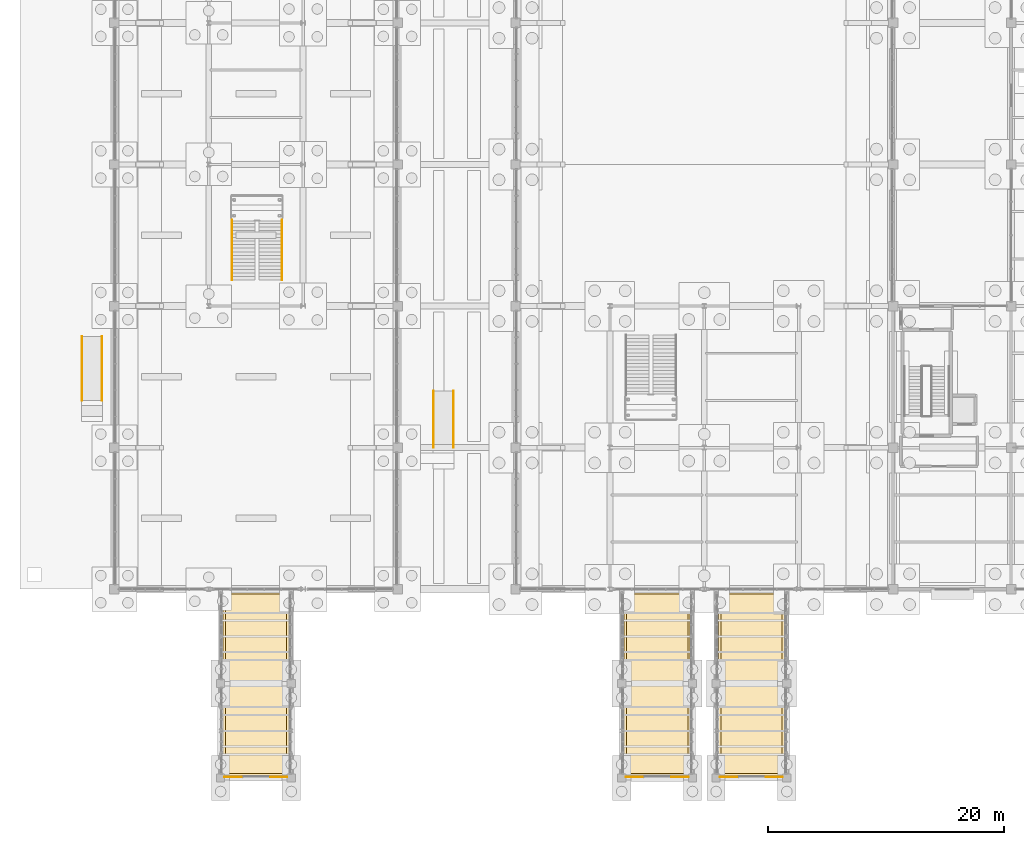
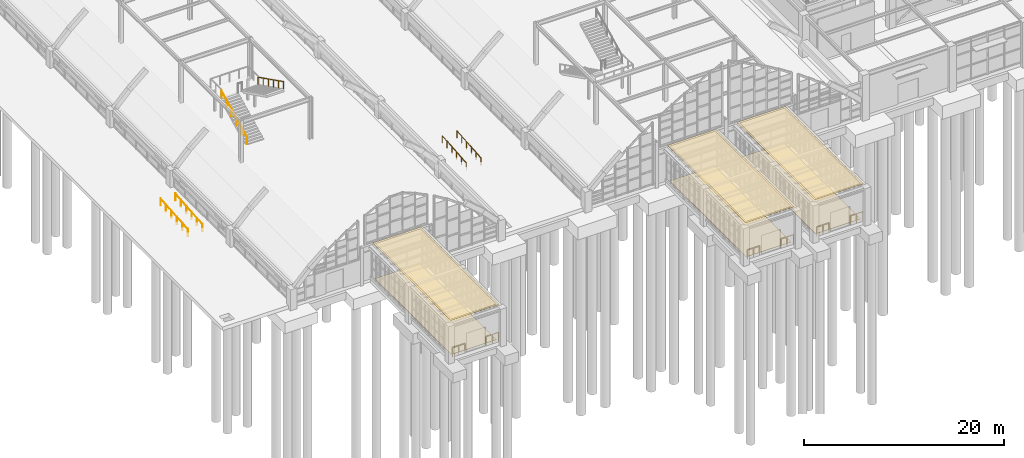
# One storey, part 114 of 129: 12 railings, 9 coverings.
"""IFC4 building model written with IfcOpenShell, lengths in metres."""

from ifc_helpers import new_model, si_unit, direction, frame, origin, origin_2d, place, context, subcontext, project, spatial, polyline, circle, outline, extrude, material, layer, layer_set, type_object, element, save


model = new_model("IFC4")

# Units and contexts
model_context = context("Model", 3, precision=1e-05, world=origin(), true_north=direction((0.0, 1.0)))
body_context = subcontext(model_context, "Body", "Model", "MODEL_VIEW")
ifc_project = project(units=[si_unit("LENGTHUNIT", "METRE"), si_unit("AREAUNIT", "SQUARE_METRE"), si_unit("VOLUMEUNIT", "CUBIC_METRE"), si_unit("PLANEANGLEUNIT", "RADIAN"), si_unit("MASSUNIT", "GRAM", prefix="KILO")], contexts=[model_context])

# Site, building, storey
site_placement = place(None, origin())
site = spatial("IfcSite", under=ifc_project, at=site_placement, CompositionType="ELEMENT")
building_placement = place(site_placement, origin())
building = spatial("IfcBuilding", under=site, at=building_placement, Name="Sitalva Quay Ferry Terminal", CompositionType="ELEMENT")
storey_placement = place(building_placement, origin())
storey = spatial("IfcBuildingStorey", under=building, at=storey_placement, Name="L01", CompositionType="ELEMENT", Elevation=0.0)

# Coverings
ifc_material_1 = material(Name="Marine Vapour Barrier Membrane", Category="polymer")
ifc_layer_1 = layer(ifc_material_1, 0.02490234375)
ifc_layer_set_1 = layer_set([ifc_layer_1], Name="Marine Vapour Barrier Membrane")
covering_type_1 = type_object("IfcCoveringType", Name="Covering_AcousticSoffit_25", PredefinedType="MEMBRANE", material=ifc_layer_set_1)
covering_1_placement = place(storey_placement, frame((0.0, 0.0, 4.324951171875)))
element("IfcCovering", 1, at=covering_1_placement, inside=storey, type_object=covering_type_1, Name="Vapour barrier membrane 10", PredefinedType="MEMBRANE", context=body_context, shape_type="SweptSolid", body=[
    extrude(outline(polyline([(17.39990234375, -9.60009765625), (22.60009765625, -9.60009765625), (22.60009765625, 5.60009765625), (17.39990234375, 5.60009765625), (17.39990234375, -9.60009765625)])), origin(), (0.0, 0.0, 1.0), 0.025146484375),
])
covering_2_placement = place(storey_placement, frame((0.0, 0.0, 4.324951171875)))
element("IfcCovering", 2, at=covering_2_placement, inside=storey, type_object=covering_type_1, Name="Vapour barrier membrane 12", PredefinedType="MEMBRANE", context=body_context, shape_type="SweptSolid", body=[
    extrude(outline(polyline([(51.39990234375, -9.60009765625), (56.60009765625, -9.60009765625), (56.60009765625, 5.60009765625), (51.39990234375, 5.60009765625), (51.39990234375, -9.60009765625)])), origin(), (0.0, 0.0, 1.0), 0.025146484375),
])
covering_3_placement = place(storey_placement, frame((0.0, 0.0, 4.324951171875)))
element("IfcCovering", 3, at=covering_3_placement, inside=storey, type_object=covering_type_1, Name="Vapour barrier membrane 14", PredefinedType="MEMBRANE", context=body_context, shape_type="SweptSolid", body=[
    extrude(outline(polyline([(59.39990234375, -9.60009765625), (64.60009765625, -9.60009765625), (64.60009765625, 5.60009765625), (59.39990234375, 5.60009765625), (59.39990234375, -9.60009765625)])), origin(), (0.0, 0.0, 1.0), 0.025146484375),
])
ifc_material_2 = material(Name="Pale Reflective TPO Waterproof Membrane", Category="polymer")
ifc_layer_2 = layer(ifc_material_2, 0.01806640625)
ifc_layer_set_2 = layer_set([ifc_layer_2], Name="Pale Reflective TPO Waterproof Membrane")
covering_type_2 = type_object("IfcCoveringType", Name="Covering_TPO_Roof_18", PredefinedType="ROOFING", material=ifc_layer_set_2)
covering_4_placement = place(storey_placement, frame((0.0, 0.0, 4.35009765625)))
element("IfcCovering", 4, at=covering_4_placement, inside=storey, type_object=covering_type_2, Name="TPO waterproof roof membrane 09", PredefinedType="ROOFING", context=body_context, shape_type="SweptSolid", body=[
    extrude(outline(polyline([(17.199951171875, -9.800048828125), (22.800048828125, -9.800048828125), (22.800048828125, 5.800048828125), (17.199951171875, 5.800048828125), (17.199951171875, -9.800048828125)])), origin(), (0.0, 0.0, 1.0), 0.017822265625),
])
covering_5_placement = place(storey_placement, frame((0.0, 0.0, 4.35009765625)))
element("IfcCovering", 5, at=covering_5_placement, inside=storey, type_object=covering_type_2, Name="TPO waterproof roof membrane 11", PredefinedType="ROOFING", context=body_context, shape_type="SweptSolid", body=[
    extrude(outline(polyline([(51.199951171875, -9.800048828125), (56.800048828125, -9.800048828125), (56.800048828125, 5.800048828125), (51.199951171875, 5.800048828125), (51.199951171875, -9.800048828125)])), origin(), (0.0, 0.0, 1.0), 0.017822265625),
])
covering_6_placement = place(storey_placement, frame((0.0, 0.0, 4.35009765625)))
element("IfcCovering", 6, at=covering_6_placement, inside=storey, type_object=covering_type_2, Name="TPO waterproof roof membrane 13", PredefinedType="ROOFING", context=body_context, shape_type="SweptSolid", body=[
    extrude(outline(polyline([(59.199951171875, -9.800048828125), (64.800048828125, -9.800048828125), (64.800048828125, 5.800048828125), (59.199951171875, 5.800048828125), (59.199951171875, -9.800048828125)])), origin(), (0.0, 0.0, 1.0), 0.017822265625),
])
ifc_material_3 = material(Name="Flamed Non-Slip Granite Paving", Category="masonry")
ifc_layer_3 = layer(ifc_material_3, 0.034912109375)
ifc_layer_set_3 = layer_set([ifc_layer_3], Name="Flamed Non-Slip Granite Paving")
covering_type_3 = type_object("IfcCoveringType", Name="Finish_Granite_35", PredefinedType="FLOORING", material=ifc_layer_set_3)
covering_7_placement = place(storey_placement, origin())
element("IfcCovering", 7, at=covering_7_placement, inside=storey, type_object=covering_type_3, Name="Passenger Boarding Bridge Gangway BB1 flooring", PredefinedType="FLOORING", context=body_context, shape_type="SweptSolid", body=[
    extrude(outline(polyline([(17.39990234375, -9.60009765625), (22.60009765625, -9.60009765625), (22.60009765625, 5.699951171875), (17.39990234375, 5.699951171875), (17.39990234375, -9.60009765625)])), origin(), (0.0, 0.0, 1.0), 0.034912109375),
])
covering_8_placement = place(storey_placement, origin())
element("IfcCovering", 8, at=covering_8_placement, inside=storey, type_object=covering_type_3, Name="Passenger Boarding Bridge Gangway BB2 flooring", PredefinedType="FLOORING", context=body_context, shape_type="SweptSolid", body=[
    extrude(outline(polyline([(51.39990234375, -9.60009765625), (56.60009765625, -9.60009765625), (56.60009765625, 5.699951171875), (51.39990234375, 5.699951171875), (51.39990234375, -9.60009765625)])), origin(), (0.0, 0.0, 1.0), 0.034912109375),
])
covering_9_placement = place(storey_placement, origin())
element("IfcCovering", 9, at=covering_9_placement, inside=storey, type_object=covering_type_3, Name="Passenger Boarding Bridge Gangway BB3 flooring", PredefinedType="FLOORING", context=body_context, shape_type="SweptSolid", body=[
    extrude(outline(polyline([(59.39990234375, -9.60009765625), (64.60009765625, -9.60009765625), (64.60009765625, 5.699951171875), (59.39990234375, 5.699951171875), (59.39990234375, -9.60009765625)])), origin(), (0.0, 0.0, 1.0), 0.034912109375),
])

# Railings
ifc_material_4 = material(Name="Stainless Steel 316L & Laminated Glass", Category="steel")
railing_type_1 = type_object("IfcRailingType", Name="Railing_Balustrade_1120", PredefinedType="BALUSTRADE", material=ifc_material_4)
for number, where, name in (
    (10, (17.35009765625, -9.919921875, 0.0), "L01 BB1 berth apron W guard 001"),
    (11, (21.22998046875, -9.919921875, 0.0), "L01 BB1 berth apron E guard 002"),
    (12, (51.35009765625, -9.919921875, 0.0), "L01 BB2 berth apron W guard 003"),
    (13, (55.22998046875, -9.919921875, 0.0), "L01 BB2 berth apron E guard 004"),
    (14, (59.35009765625, -9.919921875, 0.0), "L01 BB3 berth apron W guard 005"),
    (15, (63.22998046875, -9.919921875, 0.0), "L01 BB3 berth apron E guard 006"),
):
    element("IfcRailing", number, at=place(storey_placement, frame(where)), inside=storey, type_object=railing_type_1, Name=name, PredefinedType="BALUSTRADE", context=body_context, shape_type="SweptSolid", body=[
        extrude(circle(Radius=0.02392578125, at=origin_2d()), frame((0.0, 0.0, 1.09619140625), z_axis=(1.0, 0.0, 0.0), x_axis=(0.0, 1.0, 0.0)), (0.0, 0.0, 1.0), 1.419921875),
        extrude(circle(Radius=0.02099609375, at=origin_2d()), origin(), (0.0, 0.0, 1.0), 1.072021484375),
        extrude(circle(Radius=0.02099609375, at=origin_2d()), frame((0.7099609375, 0.0, 0.0)), (0.0, 0.0, 1.0), 1.072021484375),
        extrude(circle(Radius=0.02099609375, at=origin_2d()), frame((1.419921875, 0.0, 0.0)), (0.0, 0.0, 1.0), 1.072021484375),
    ])
ifc_material_5 = material(Name="Stainless Steel 316L", Category="steel")
railing_type_2 = type_object("IfcRailingType", Name="Railing_Handrail_900", PredefinedType="HANDRAIL", material=ifc_material_5)
railing_1_placement = place(storey_placement, frame((17.9599609375, 32.199951171875, 0.14990234375)))
element("IfcRailing", 16, at=railing_1_placement, inside=storey, type_object=railing_type_2, Name="ST-14-HR1", PredefinedType="HANDRAIL", context=body_context, shape_type="SweptSolid", body=[
    extrude(circle(Radius=0.02392578125, at=origin_2d()), frame((0.0, 0.0, 0.8759765625), z_axis=(0.0, 0.894427191, 0.4472135955), x_axis=(-1.0, 0.0, 0.0)), (0.0, 0.0, 1.0), 5.7021484375),
    extrude(circle(Radius=0.02099609375, at=origin_2d()), origin(), (0.0, 0.0, 1.0), 0.851806640625),
    extrude(circle(Radius=0.02099609375, at=origin_2d()), frame((0.0, 1.02001953125, 0.510009765625)), (0.0, 0.0, 1.0), 0.851806640625),
    extrude(circle(Radius=0.02099609375, at=origin_2d()), frame((0.0, 2.0400390625, 1.02001953125)), (0.0, 0.0, 1.0), 0.851806640625),
    extrude(circle(Radius=0.02099609375, at=origin_2d()), frame((0.0, 3.06005859375, 1.530029296875)), (0.0, 0.0, 1.0), 0.851806640625),
    extrude(circle(Radius=0.02099609375, at=origin_2d()), frame((0.0, 4.080078125, 2.0400390625)), (0.0, 0.0, 1.0), 0.851806640625),
    extrude(circle(Radius=0.02099609375, at=origin_2d()), frame((0.0, 5.10009765625, 2.550048828125)), (0.0, 0.0, 1.0), 0.851806640625),
])
railing_2_placement = place(storey_placement, frame((22.18994140625, 37.300048828125, 2.85009765625)))
element("IfcRailing", 17, at=railing_2_placement, inside=storey, type_object=railing_type_2, Name="ST-14-HR2", PredefinedType="HANDRAIL", context=body_context, shape_type="SweptSolid", body=[
    extrude(circle(Radius=0.02392578125, at=origin_2d()), frame((0.0, 0.0, 0.8759765625), z_axis=(0.0, -0.89444431709, 0.44717934168), x_axis=(1.0, 0.0, 0.0)), (0.0, 0.0, 1.0), 5.701904296875),
    extrude(circle(Radius=0.02099609375, at=origin_2d()), origin(), (0.0, 0.0, 1.0), 0.851806640625),
    extrude(circle(Radius=0.02099609375, at=origin_2d()), frame((0.0, -1.02001953125, 0.510009765625)), (0.0, 0.0, 1.0), 0.851806640625),
    extrude(circle(Radius=0.02099609375, at=origin_2d()), frame((0.0, -2.0400390625, 1.02001953125)), (0.0, 0.0, 1.0), 0.851806640625),
    extrude(circle(Radius=0.02099609375, at=origin_2d()), frame((0.0, -3.06005859375, 1.52978515625)), (0.0, 0.0, 1.0), 0.851806640625),
    extrude(circle(Radius=0.02099609375, at=origin_2d()), frame((0.0, -4.080078125, 2.039794921875)), (0.0, 0.0, 1.0), 0.851806640625),
    extrude(circle(Radius=0.02099609375, at=origin_2d()), frame((0.0, -5.10009765625, 2.5498046875)), (0.0, 0.0, 1.0), 0.851806640625),
])
for number, where, name in (
    (18, (5.25, 22.0, -0.449951171875), "West river quay promenade accessible ramp handrail 1"),
    (19, (6.949951171875, 22.0, -0.449951171875), "West river quay promenade accessible ramp handrail 2"),
):
    element("IfcRailing", number, at=place(storey_placement, frame(where)), inside=storey, type_object=railing_type_2, Name=name, PredefinedType="HANDRAIL", context=body_context, shape_type="SweptSolid", body=[
        extrude(circle(Radius=0.02392578125, at=origin_2d()), frame((0.0, 0.0, 0.8759765625), z_axis=(0.0, 0.996546379678, 0.083038022323), x_axis=(-1.0, 0.0, 0.0)), (0.0, 0.0, 1.0), 5.418701171875),
        extrude(circle(Radius=0.02099609375, at=origin_2d()), origin(), (0.0, 0.0, 1.0), 0.851806640625),
        extrude(circle(Radius=0.02099609375, at=origin_2d()), frame((0.0, 1.080078125, 0.090087890625)), (0.0, 0.0, 1.0), 0.851806640625),
        extrude(circle(Radius=0.02099609375, at=origin_2d()), frame((0.0, 2.159912109375, 0.179931640625)), (0.0, 0.0, 1.0), 0.851806640625),
        extrude(circle(Radius=0.02099609375, at=origin_2d()), frame((0.0, 3.239990234375, 0.27001953125)), (0.0, 0.0, 1.0), 0.851806640625),
        extrude(circle(Radius=0.02099609375, at=origin_2d()), frame((0.0, 4.31982421875, 0.35986328125)), (0.0, 0.0, 1.0), 0.851806640625),
        extrude(circle(Radius=0.02099609375, at=origin_2d()), frame((0.0, 5.39990234375, 0.449951171875)), (0.0, 0.0, 1.0), 0.851806640625),
    ])
for number, where, name in (
    (20, (35.050048828125, 18.0, -0.39990234375), "Central monsoon garden court accessible ramp handrail 1"),
    (21, (36.75, 18.0, -0.39990234375), "Central monsoon garden court accessible ramp handrail 2"),
):
    element("IfcRailing", number, at=place(storey_placement, frame(where)), inside=storey, type_object=railing_type_2, Name=name, PredefinedType="HANDRAIL", context=body_context, shape_type="SweptSolid", body=[
        extrude(circle(Radius=0.02392578125, at=origin_2d()), frame((0.0, 0.0, 0.8759765625), z_axis=(0.0, 0.996547505835, 0.083024506106), x_axis=(-1.0, 0.0, 0.0)), (0.0, 0.0, 1.0), 4.816650390625),
        extrude(circle(Radius=0.02099609375, at=origin_2d()), origin(), (0.0, 0.0, 1.0), 0.851806640625),
        extrude(circle(Radius=0.02099609375, at=origin_2d()), frame((0.0, 0.9599609375, 0.080078125)), (0.0, 0.0, 1.0), 0.851806640625),
        extrude(circle(Radius=0.02099609375, at=origin_2d()), frame((0.0, 1.919921875, 0.159912109375)), (0.0, 0.0, 1.0), 0.851806640625),
        extrude(circle(Radius=0.02099609375, at=origin_2d()), frame((0.0, 2.880126953125, 0.239990234375)), (0.0, 0.0, 1.0), 0.851806640625),
        extrude(circle(Radius=0.02099609375, at=origin_2d()), frame((0.0, 3.840087890625, 0.31982421875)), (0.0, 0.0, 1.0), 0.851806640625),
        extrude(circle(Radius=0.02099609375, at=origin_2d()), frame((0.0, 4.800048828125, 0.39990234375)), (0.0, 0.0, 1.0), 0.851806640625),
    ])

save(model, "model.ifc")
